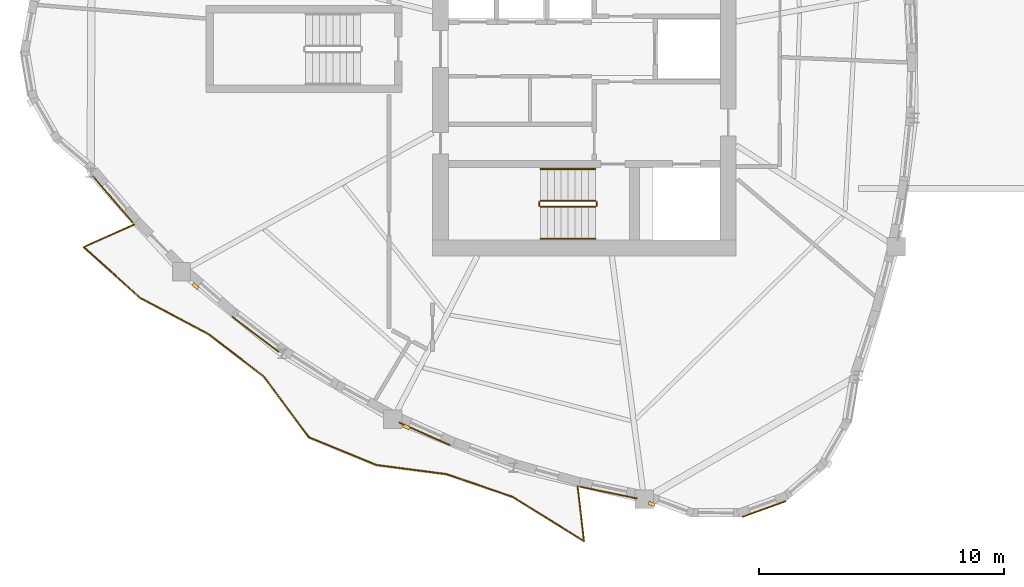
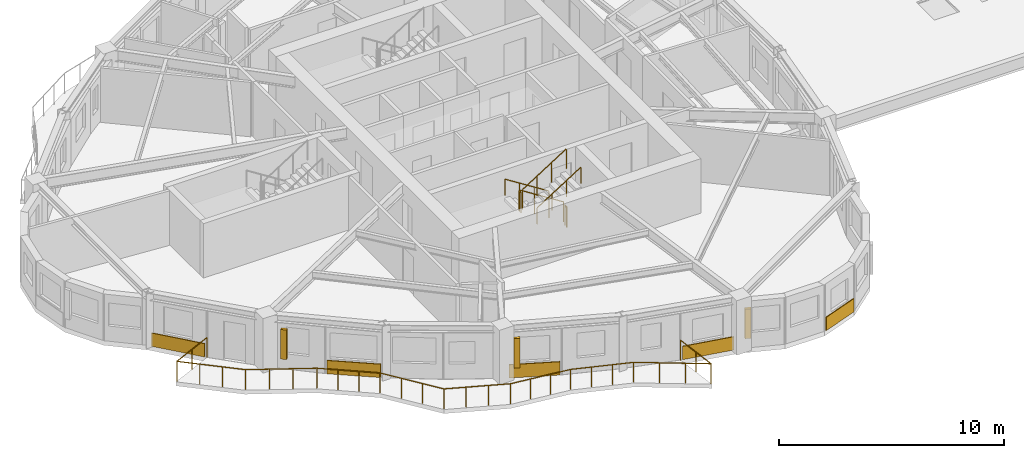
# One storey, part 8 of 11: 7 railings, 5 coverings, 3 shading devices.
"""IFC4 building model written with IfcOpenShell, lengths in metres."""

from ifc_helpers import new_model, si_unit, direction, frame, origin, origin_2d, place, context, subcontext, project, spatial, rectangle, circle, extrude, source, transform, mapped, material, layer, layer_set, type_object, element, save


model = new_model("IFC4")

# Units and contexts
model_context = context("Model", 3, precision=1e-05, world=origin(), true_north=direction((0.0, 1.0)))
body_context = subcontext(model_context, "Body", "Model", "MODEL_VIEW")
ifc_project = project(units=[si_unit("LENGTHUNIT", "METRE"), si_unit("AREAUNIT", "SQUARE_METRE"), si_unit("VOLUMEUNIT", "CUBIC_METRE"), si_unit("PLANEANGLEUNIT", "RADIAN"), si_unit("MASSUNIT", "GRAM", prefix="KILO")], contexts=[model_context])

# Site, building, storey
site_placement = place(None, origin())
site = spatial("IfcSite", under=ifc_project, at=site_placement, CompositionType="ELEMENT")
building_placement = place(site_placement, origin())
building = spatial("IfcBuilding", under=site, at=building_placement, Name="Qafzar Sky-Pleat Residences", CompositionType="ELEMENT")
storey_placement = place(building_placement, frame((0.0, 0.0, 161.800048828125)))
storey = spatial("IfcBuildingStorey", under=building, at=storey_placement, Name="L48", CompositionType="ELEMENT", Elevation=161.800048828125)

# Shading devices
ifc_material_1 = material(Name="Honed Riyadh limestone solar fin", Category="masonry")
ifc_layer_1 = layer(ifc_material_1, 0.139892578125)
ifc_layer_set_1 = layer_set([ifc_layer_1], Name="Honed Riyadh limestone solar fin")
shading_device_type = type_object("IfcShadingDeviceType", Name="SHD-FIN-STONE", PredefinedType="SHUTTER", material=ifc_layer_set_1)
shared_shape_1 = source(origin(), body_context, "Body", "SweptSolid", [
    extrude(rectangle(XDim=0.139892578125, YDim=0.280029296875, at=origin_2d()), origin(), (0.0, 0.0, 1.0), 1.60009765625),
])
for number, where, z_axis, x_axis, name in (
    (1, (14.465576171875, 16.3134765625, 0.599853515625), (0.0, 0.0, 1.0), (-0.660161310777, -0.751123853804, 0.0), "L48 Limestone Solar Fin 9"),
    (2, (23.079833984375, 10.56201171875, 0.599853515625), (0.0, 0.0, 1.0), (-0.407531944701, -0.91319095158, 0.0), "L48 Limestone Solar Fin 13"),
    (3, (33.09765625, 7.418212890625, 0.599853515625), (0.0, 0.0, 1.0), (-0.349591808799, -0.936902111867, 0.0), "L48 Limestone Solar Fin 17"),
):
    element("IfcShadingDevice", number, at=place(storey_placement, frame(where, z_axis=z_axis, x_axis=x_axis)), inside=storey, type_object=shading_device_type, Name=name, PredefinedType="SHUTTER", context=body_context, shape_type="MappedRepresentation", body=[
        mapped(shared_shape_1, transform((0.0, 0.0, 0.0), x_axis=(1.0, 0.0, 0.0), y_axis=(0.0, 1.0, 0.0), z_axis=(0.0, 0.0, 1.0), scale=1.0)),
    ])

# Covering
ifc_material_2 = material(Name="Honed Riyadh Tuwaiq limestone cladding", Category="masonry")
ifc_layer_2 = layer(ifc_material_2, 0.044921875)
ifc_layer_set_2 = layer_set([ifc_layer_2], Name="Honed Riyadh Tuwaiq limestone cladding")
covering_type = type_object("IfcCoveringType", Name="COV-CLAD-STONE", PredefinedType="CLADDING", material=ifc_layer_set_2)
shared_shape_2 = source(origin(), body_context, "Body", "SweptSolid", [
    extrude(rectangle(XDim=1.89794921875, YDim=0.044921875, at=origin_2d()), origin(), (0.0, 0.0, 1.0), 0.719970703125),
])
covering_1_placement = place(storey_placement, frame((37.690185546875, 7.207275390625, 0.02001953125), z_axis=(0.0, 0.0, 1.0), x_axis=(0.940231559433, 0.340535775867, 0.0)))
element("IfcCovering", 4, at=covering_1_placement, inside=storey, type_object=covering_type, Name="L48 Riyadh Limestone Spandrel Cladding 19", PredefinedType="CLADDING", context=body_context, shape_type="MappedRepresentation", body=[
    mapped(shared_shape_2, transform((0.0, 0.0, 0.0), x_axis=(1.0, 0.0, 0.0), y_axis=(0.0, 1.0, 0.0), z_axis=(0.0, 0.0, 1.0), scale=1.0)),
])

# Railing
ifc_material_3 = material(Name="Laminated glass and bronze steel balustrade", Category="steel")
railing_type_1 = type_object("IfcRailingType", Name="RAIL-BAL-1100", PredefinedType="BALUSTRADE", material=ifc_material_3)
shared_shape_3 = source(origin(), body_context, "Body", "SweptSolid", [
    extrude(circle(Radius=0.02392578125, at=origin_2d()), frame((0.0, 0.0, 1.076171875), z_axis=(-0.912922636526, -0.408132649659, 0.0), x_axis=(0.408132649659, -0.912922636526, 0.0)), (0.0, 0.0, 1.0), 2.270751953125),
    extrude(circle(Radius=0.02392578125, at=origin_2d()), frame((-2.072998046875, -0.9267578125, 1.076171875), z_axis=(0.743753716081, -0.668453745458, 0.0), x_axis=(0.668453745458, 0.743753716081, 0.0)), (0.0, 0.0, 1.0), 3.11572265625),
    extrude(circle(Radius=0.02392578125, at=origin_2d()), frame((0.244384765625, -3.009521484375, 1.076171875), z_axis=(0.883585037441, -0.468270735376, 0.0), x_axis=(0.468270735376, 0.883585037441, 0.0)), (0.0, 0.0, 1.0), 3.16259765625),
    extrude(circle(Radius=0.02392578125, at=origin_2d()), frame((3.038818359375, -4.490478515625, 1.076171875), z_axis=(0.793401199047, -0.608699053187, 0.0), x_axis=(0.608699053187, 0.793401199047, 0.0)), (0.0, 0.0, 1.0), 2.835205078125),
    extrude(circle(Radius=0.02392578125, at=origin_2d()), frame((5.288330078125, -6.21630859375, 1.076171875), z_axis=(0.594930822966, -0.803776906788, 0.0), x_axis=(0.803776906788, 0.594930822966, 0.0)), (0.0, 0.0, 1.0), 3.089599609375),
    extrude(circle(Radius=0.02392578125, at=origin_2d()), frame((7.12646484375, -8.69970703125, 1.076171875), z_axis=(0.925110963118, -0.379696860561, 0.0), x_axis=(0.379696860561, 0.925110963118, 0.0)), (0.0, 0.0, 1.0), 2.974365234375),
    extrude(circle(Radius=0.02392578125, at=origin_2d()), frame((9.878173828125, -9.8291015625, 1.076171875), z_axis=(0.991578756407, -0.129505095813, 0.0), x_axis=(0.129505095813, 0.991578756407, 0.0)), (0.0, 0.0, 1.0), 2.893798828125),
    extrude(circle(Radius=0.02392578125, at=origin_2d()), frame((12.74755859375, -10.203857421875, 1.076171875), z_axis=(0.945899410668, -0.324460020493, 0.0), x_axis=(0.324460020493, 0.945899410668, 0.0)), (0.0, 0.0, 1.0), 2.851806640625),
    extrude(circle(Radius=0.02392578125, at=origin_2d()), frame((15.445068359375, -11.129150390625, 1.076171875), z_axis=(0.849532496747, -0.52753628972, 0.0), x_axis=(0.52753628972, 0.849532496747, 0.0)), (0.0, 0.0, 1.0), 3.433837890625),
    extrude(circle(Radius=0.02392578125, at=origin_2d()), frame((18.3623046875, -12.940673828125, 1.076171875), z_axis=(-0.11536270651, 0.993323434711, 0.0), x_axis=(-0.993323434711, -0.11536270651, 0.0)), (0.0, 0.0, 1.0), 2.270751953125),
    extrude(circle(Radius=0.02099609375, at=origin_2d()), origin(), (0.0, 0.0, 1.0), 1.052001953125),
    extrude(circle(Radius=0.02099609375, at=origin_2d()), frame((-1.03662109375, -0.46337890625, 0.0)), (0.0, 0.0, 1.0), 1.052001953125),
    extrude(circle(Radius=0.02099609375, at=origin_2d()), frame((-2.072998046875, -0.9267578125, 0.0)), (0.0, 0.0, 1.0), 1.052001953125),
    extrude(circle(Radius=0.02099609375, at=origin_2d()), frame((-1.300537109375, -1.62109375, 0.0)), (0.0, 0.0, 1.0), 1.052001953125),
    extrude(circle(Radius=0.02099609375, at=origin_2d()), frame((-0.528076171875, -2.315185546875, 0.0)), (0.0, 0.0, 1.0), 1.052001953125),
    extrude(circle(Radius=0.02099609375, at=origin_2d()), frame((0.244384765625, -3.009521484375, 0.0)), (0.0, 0.0, 1.0), 1.052001953125),
    extrude(circle(Radius=0.02099609375, at=origin_2d()), frame((1.17578125, -3.503173828125, 0.0)), (0.0, 0.0, 1.0), 1.052001953125),
    extrude(circle(Radius=0.02099609375, at=origin_2d()), frame((2.107421875, -3.996826171875, 0.0)), (0.0, 0.0, 1.0), 1.052001953125),
    extrude(circle(Radius=0.02099609375, at=origin_2d()), frame((3.038818359375, -4.490478515625, 0.0)), (0.0, 0.0, 1.0), 1.052001953125),
    extrude(circle(Radius=0.02099609375, at=origin_2d()), frame((3.78857421875, -5.065673828125, 0.0)), (0.0, 0.0, 1.0), 1.052001953125),
    extrude(circle(Radius=0.02099609375, at=origin_2d()), frame((4.53857421875, -5.64111328125, 0.0)), (0.0, 0.0, 1.0), 1.052001953125),
    extrude(circle(Radius=0.02099609375, at=origin_2d()), frame((5.288330078125, -6.21630859375, 0.0)), (0.0, 0.0, 1.0), 1.052001953125),
    extrude(circle(Radius=0.02099609375, at=origin_2d()), frame((5.901123046875, -7.044189453125, 0.0)), (0.0, 0.0, 1.0), 1.052001953125),
    extrude(circle(Radius=0.02099609375, at=origin_2d()), frame((6.513671875, -7.871826171875, 0.0)), (0.0, 0.0, 1.0), 1.052001953125),
    extrude(circle(Radius=0.02099609375, at=origin_2d()), frame((7.12646484375, -8.69970703125, 0.0)), (0.0, 0.0, 1.0), 1.052001953125),
    extrude(circle(Radius=0.02099609375, at=origin_2d()), frame((8.043701171875, -9.076171875, 0.0)), (0.0, 0.0, 1.0), 1.052001953125),
    extrude(circle(Radius=0.02099609375, at=origin_2d()), frame((8.9609375, -9.45263671875, 0.0)), (0.0, 0.0, 1.0), 1.052001953125),
    extrude(circle(Radius=0.02099609375, at=origin_2d()), frame((9.878173828125, -9.8291015625, 0.0)), (0.0, 0.0, 1.0), 1.052001953125),
    extrude(circle(Radius=0.02099609375, at=origin_2d()), frame((10.834716796875, -9.9541015625, 0.0)), (0.0, 0.0, 1.0), 1.052001953125),
    extrude(circle(Radius=0.02099609375, at=origin_2d()), frame((11.791015625, -10.078857421875, 0.0)), (0.0, 0.0, 1.0), 1.052001953125),
    extrude(circle(Radius=0.02099609375, at=origin_2d()), frame((12.74755859375, -10.203857421875, 0.0)), (0.0, 0.0, 1.0), 1.052001953125),
    extrude(circle(Radius=0.02099609375, at=origin_2d()), frame((13.646728515625, -10.51220703125, 0.0)), (0.0, 0.0, 1.0), 1.052001953125),
    extrude(circle(Radius=0.02099609375, at=origin_2d()), frame((14.5458984375, -10.82080078125, 0.0)), (0.0, 0.0, 1.0), 1.052001953125),
    extrude(circle(Radius=0.02099609375, at=origin_2d()), frame((15.445068359375, -11.129150390625, 0.0)), (0.0, 0.0, 1.0), 1.052001953125),
    extrude(circle(Radius=0.02099609375, at=origin_2d()), frame((16.41748046875, -11.73291015625, 0.0)), (0.0, 0.0, 1.0), 1.052001953125),
    extrude(circle(Radius=0.02099609375, at=origin_2d()), frame((17.389892578125, -12.3369140625, 0.0)), (0.0, 0.0, 1.0), 1.052001953125),
    extrude(circle(Radius=0.02099609375, at=origin_2d()), frame((18.3623046875, -12.940673828125, 0.0)), (0.0, 0.0, 1.0), 1.052001953125),
    extrude(circle(Radius=0.02099609375, at=origin_2d()), frame((18.2314453125, -11.81298828125, 0.0)), (0.0, 0.0, 1.0), 1.052001953125),
    extrude(circle(Radius=0.02099609375, at=origin_2d()), frame((18.100341796875, -10.68505859375, 0.0)), (0.0, 0.0, 1.0), 1.052001953125),
])
railing_1_placement = place(storey_placement, frame((11.973388671875, 18.8369140625, 0.0)))
element("IfcRailing", 5, at=railing_1_placement, inside=storey, type_object=railing_type_1, Name="L48 Pleated Balcony 2 Balustrade", PredefinedType="BALUSTRADE", context=body_context, shape_type="MappedRepresentation", body=[
    mapped(shared_shape_3, transform((0.0, 0.0, 0.0), x_axis=(1.0, 0.0, 0.0), y_axis=(0.0, 1.0, 0.0), z_axis=(0.0, 0.0, 1.0), scale=1.0)),
])

# Coverings
shared_shape_4 = source(origin(), body_context, "Body", "SweptSolid", [
    extrude(rectangle(XDim=2.513671875, YDim=0.044921875, at=origin_2d()), origin(), (0.0, 0.0, 1.0), 0.719970703125),
])
covering_2_placement = place(storey_placement, frame((11.08447265625, 19.859375, 0.02001953125), z_axis=(0.0, 0.0, 1.0), x_axis=(0.650295858087, -0.75968104949, 0.0)))
element("IfcCovering", 6, at=covering_2_placement, inside=storey, type_object=covering_type, Name="L48 Riyadh Limestone Spandrel Cladding 7", PredefinedType="CLADDING", context=body_context, shape_type="MappedRepresentation", body=[
    mapped(shared_shape_4, transform((0.0, 0.0, 0.0), x_axis=(1.0, 0.0, 0.0), y_axis=(0.0, 1.0, 0.0), z_axis=(0.0, 0.0, 1.0), scale=1.0)),
])
shared_shape_5 = source(origin(), body_context, "Body", "SweptSolid", [
    extrude(rectangle(XDim=2.39453125, YDim=0.044921875, at=origin_2d()), origin(), (0.0, 0.0, 1.0), 0.719970703125),
])
covering_3_placement = place(storey_placement, frame((16.915771484375, 14.344970703125, 0.02001953125), z_axis=(0.0, 0.0, 1.0), x_axis=(0.798011120233, -0.602642723332, 0.0)))
element("IfcCovering", 7, at=covering_3_placement, inside=storey, type_object=covering_type, Name="L48 Riyadh Limestone Spandrel Cladding 10", PredefinedType="CLADDING", context=body_context, shape_type="MappedRepresentation", body=[
    mapped(shared_shape_5, transform((0.0, 0.0, 0.0), x_axis=(1.0, 0.0, 0.0), y_axis=(0.0, 1.0, 0.0), z_axis=(0.0, 0.0, 1.0), scale=1.0)),
])
shared_shape_6 = source(origin(), body_context, "Body", "SweptSolid", [
    extrude(rectangle(XDim=2.27294921875, YDim=0.044921875, at=origin_2d()), origin(), (0.0, 0.0, 1.0), 0.719970703125),
])
covering_4_placement = place(storey_placement, frame((23.814208984375, 10.281494140625, 0.02001953125), z_axis=(0.0, 0.0, 1.0), x_axis=(0.913196566474, -0.407519362705, 0.0)))
element("IfcCovering", 8, at=covering_4_placement, inside=storey, type_object=covering_type, Name="L48 Riyadh Limestone Spandrel Cladding 13", PredefinedType="CLADDING", context=body_context, shape_type="MappedRepresentation", body=[
    mapped(shared_shape_6, transform((0.0, 0.0, 0.0), x_axis=(1.0, 0.0, 0.0), y_axis=(0.0, 1.0, 0.0), z_axis=(0.0, 0.0, 1.0), scale=1.0)),
])
shared_shape_7 = source(origin(), body_context, "Body", "SweptSolid", [
    extrude(rectangle(XDim=2.39208984375, YDim=0.044921875, at=origin_2d()), origin(), (0.0, 0.0, 1.0), 0.719970703125),
])
covering_5_placement = place(storey_placement, frame((31.33203125, 7.881103515625, 0.02001953125), z_axis=(0.0, 0.0, 1.0), x_axis=(0.979307497753, -0.202377925784, 0.0)))
element("IfcCovering", 9, at=covering_5_placement, inside=storey, type_object=covering_type, Name="L48 Riyadh Limestone Spandrel Cladding 16", PredefinedType="CLADDING", context=body_context, shape_type="MappedRepresentation", body=[
    mapped(shared_shape_7, transform((0.0, 0.0, 0.0), x_axis=(1.0, 0.0, 0.0), y_axis=(0.0, 1.0, 0.0), z_axis=(0.0, 0.0, 1.0), scale=1.0)),
])

# Railings
ifc_material_4 = material(Name="Painted Steel S355 stair guardrail", Category="steel")
railing_type_2 = type_object("IfcRailingType", Name="RAIL-STAIR-GUARD", PredefinedType="GUARDRAIL", material=ifc_material_4)
shared_shape_8 = source(origin(), body_context, "Body", "SweptSolid", [
    extrude(circle(Radius=0.02392578125, at=origin_2d()), frame((0.0, 0.0, 1.076171875), z_axis=(0.0, -1.0, 0.0), x_axis=(1.0, 0.0, 0.0)), (0.0, 0.0, 1.0), 0.14990234375),
    extrude(circle(Radius=0.02099609375, at=origin_2d()), origin(), (0.0, 0.0, 1.0), 1.052001953125),
    extrude(circle(Radius=0.02099609375, at=origin_2d()), frame((0.0, -0.14990234375, 0.0)), (0.0, 0.0, 1.0), 1.052001953125),
])
for number, where, name in (
    (10, (28.510009765625, 19.75, 1.599853515625), "L48 ST1 stair guard 2"),
    (11, (30.85009765625, 19.75, 0.0), "L48 ST1 stair guard 4"),
):
    element("IfcRailing", number, at=place(storey_placement, frame(where)), inside=storey, type_object=railing_type_2, Name=name, PredefinedType="GUARDRAIL", context=body_context, shape_type="MappedRepresentation", body=[
        mapped(shared_shape_8, transform((0.0, 0.0, 0.0), x_axis=(1.0, 0.0, 0.0), y_axis=(0.0, 1.0, 0.0), z_axis=(0.0, 0.0, 1.0), scale=1.0)),
    ])
shared_shape_9 = source(origin(), body_context, "Body", "SweptSolid", [
    extrude(circle(Radius=0.02392578125, at=origin_2d()), frame((0.0, 0.0, 1.076171875), z_axis=(-0.8442293374, 0.0, 0.53598211339), x_axis=(0.0, -1.0, 0.0)), (0.0, 0.0, 1.0), 2.6533203125),
    extrude(circle(Radius=0.02099609375, at=origin_2d()), origin(), (0.0, 0.0, 1.0), 1.052001953125),
    extrude(circle(Radius=0.02099609375, at=origin_2d()), frame((-0.74658203125, 0.0, 0.47412109375)), (0.0, 0.0, 1.0), 1.052001953125),
    extrude(circle(Radius=0.02099609375, at=origin_2d()), frame((-1.493408203125, 0.0, 0.947998046875)), (0.0, 0.0, 1.0), 1.052001953125),
    extrude(circle(Radius=0.02099609375, at=origin_2d()), frame((-2.239990234375, 0.0, 1.422119140625)), (0.0, 0.0, 1.0), 1.052001953125),
])
railing_2_placement = place(storey_placement, frame((30.800048828125, 19.800048828125, 0.177734375)))
element("IfcRailing", 12, at=railing_2_placement, inside=storey, type_object=railing_type_2, Name="L48 ST1 stair guard 1", PredefinedType="GUARDRAIL", context=body_context, shape_type="MappedRepresentation", body=[
    mapped(shared_shape_9, transform((0.0, 0.0, 0.0), x_axis=(1.0, 0.0, 0.0), y_axis=(0.0, 1.0, 0.0), z_axis=(0.0, 0.0, 1.0), scale=1.0)),
])
shared_shape_10 = source(origin(), body_context, "Body", "SweptSolid", [
    extrude(circle(Radius=0.02392578125, at=origin_2d()), frame((0.0, 0.0, 1.076171875), z_axis=(0.8442293374, 0.0, 0.53598211339), x_axis=(0.0, 1.0, 0.0)), (0.0, 0.0, 1.0), 2.6533203125),
    extrude(circle(Radius=0.02099609375, at=origin_2d()), origin(), (0.0, 0.0, 1.0), 1.052001953125),
    extrude(circle(Radius=0.02099609375, at=origin_2d()), frame((0.74658203125, 0.0, 0.47412109375)), (0.0, 0.0, 1.0), 1.052001953125),
    extrude(circle(Radius=0.02099609375, at=origin_2d()), frame((1.493408203125, 0.0, 0.947998046875)), (0.0, 0.0, 1.0), 1.052001953125),
    extrude(circle(Radius=0.02099609375, at=origin_2d()), frame((2.239990234375, 0.0, 1.422119140625)), (0.0, 0.0, 1.0), 1.052001953125),
])
railing_3_placement = place(storey_placement, frame((28.56005859375, 19.550048828125, 1.77783203125)))
element("IfcRailing", 13, at=railing_3_placement, inside=storey, type_object=railing_type_2, Name="L48 ST1 stair guard 3", PredefinedType="GUARDRAIL", context=body_context, shape_type="MappedRepresentation", body=[
    mapped(shared_shape_10, transform((0.0, 0.0, 0.0), x_axis=(1.0, 0.0, 0.0), y_axis=(0.0, 1.0, 0.0), z_axis=(0.0, 0.0, 1.0), scale=1.0)),
])
ifc_material_5 = material(Name="Brushed stainless steel handrail", Category="steel")
railing_type_3 = type_object("IfcRailingType", Name="RAIL-STAIR-HAND", PredefinedType="HANDRAIL", material=ifc_material_5)
shared_shape_11 = source(origin(), body_context, "Body", "SweptSolid", [
    extrude(circle(Radius=0.02392578125, at=origin_2d()), frame((0.0, 0.0, 0.8759765625), z_axis=(-0.8442293374, 0.0, 0.53598211339), x_axis=(0.0, -1.0, 0.0)), (0.0, 0.0, 1.0), 2.6533203125),
    extrude(circle(Radius=0.02099609375, at=origin_2d()), origin(), (0.0, 0.0, 1.0), 0.851806640625),
    extrude(circle(Radius=0.02099609375, at=origin_2d()), frame((-0.74658203125, 0.0, 0.47412109375)), (0.0, 0.0, 1.0), 0.851806640625),
    extrude(circle(Radius=0.02099609375, at=origin_2d()), frame((-1.493408203125, 0.0, 0.947998046875)), (0.0, 0.0, 1.0), 0.851806640625),
    extrude(circle(Radius=0.02099609375, at=origin_2d()), frame((-2.239990234375, 0.0, 1.422119140625)), (0.0, 0.0, 1.0), 0.851806640625),
])
railing_4_placement = place(storey_placement, frame((30.800048828125, 21.10009765625, 0.177734375)))
element("IfcRailing", 14, at=railing_4_placement, inside=storey, type_object=railing_type_3, Name="L48 ST1 stair handrail 1", PredefinedType="HANDRAIL", context=body_context, shape_type="MappedRepresentation", body=[
    mapped(shared_shape_11, transform((0.0, 0.0, 0.0), x_axis=(1.0, 0.0, 0.0), y_axis=(0.0, 1.0, 0.0), z_axis=(0.0, 0.0, 1.0), scale=1.0)),
])
shared_shape_12 = source(origin(), body_context, "Body", "SweptSolid", [
    extrude(circle(Radius=0.02392578125, at=origin_2d()), frame((0.0, 0.0, 0.8759765625), z_axis=(0.8442293374, 0.0, 0.53598211339), x_axis=(0.0, 1.0, 0.0)), (0.0, 0.0, 1.0), 2.6533203125),
    extrude(circle(Radius=0.02099609375, at=origin_2d()), origin(), (0.0, 0.0, 1.0), 0.851806640625),
    extrude(circle(Radius=0.02099609375, at=origin_2d()), frame((0.74658203125, 0.0, 0.47412109375)), (0.0, 0.0, 1.0), 0.851806640625),
    extrude(circle(Radius=0.02099609375, at=origin_2d()), frame((1.493408203125, 0.0, 0.947998046875)), (0.0, 0.0, 1.0), 0.851806640625),
    extrude(circle(Radius=0.02099609375, at=origin_2d()), frame((2.239990234375, 0.0, 1.422119140625)), (0.0, 0.0, 1.0), 0.851806640625),
])
railing_5_placement = place(storey_placement, frame((28.56005859375, 18.25, 1.77783203125)))
element("IfcRailing", 15, at=railing_5_placement, inside=storey, type_object=railing_type_3, Name="L48 ST1 stair handrail 2", PredefinedType="HANDRAIL", context=body_context, shape_type="MappedRepresentation", body=[
    mapped(shared_shape_12, transform((0.0, 0.0, 0.0), x_axis=(1.0, 0.0, 0.0), y_axis=(0.0, 1.0, 0.0), z_axis=(0.0, 0.0, 1.0), scale=1.0)),
])

save(model, "model.ifc")
